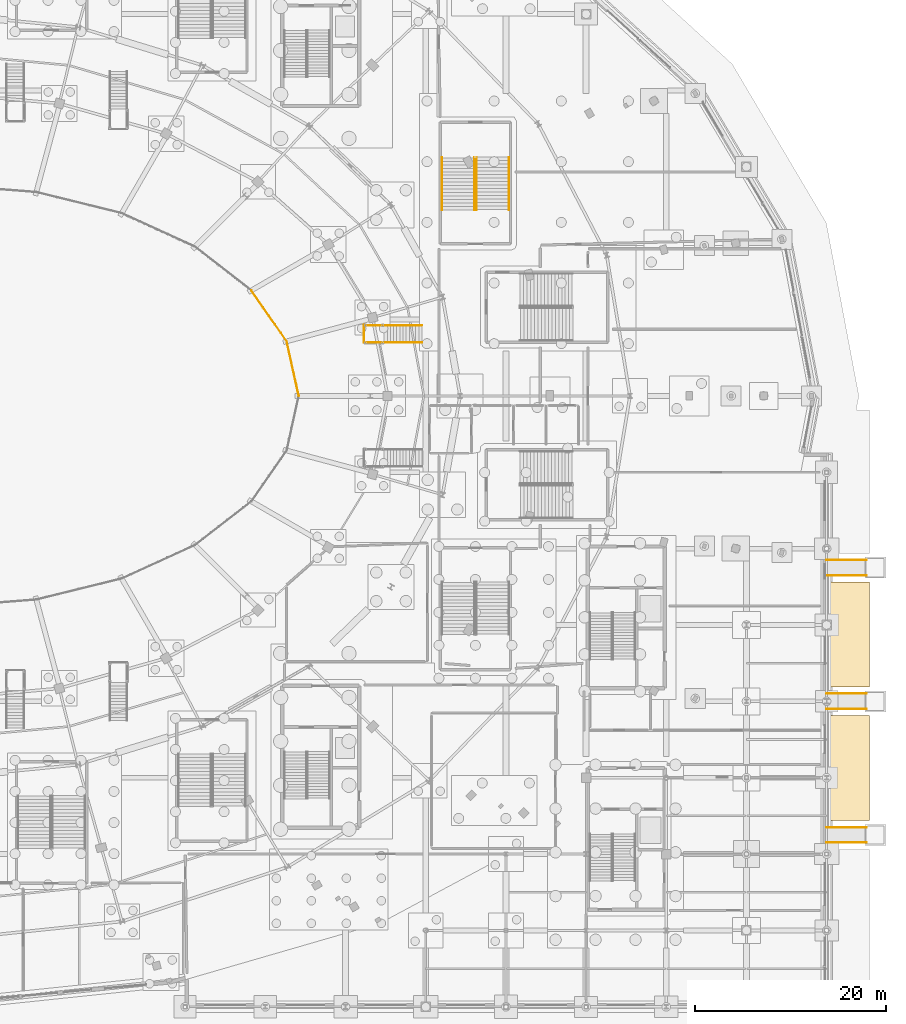
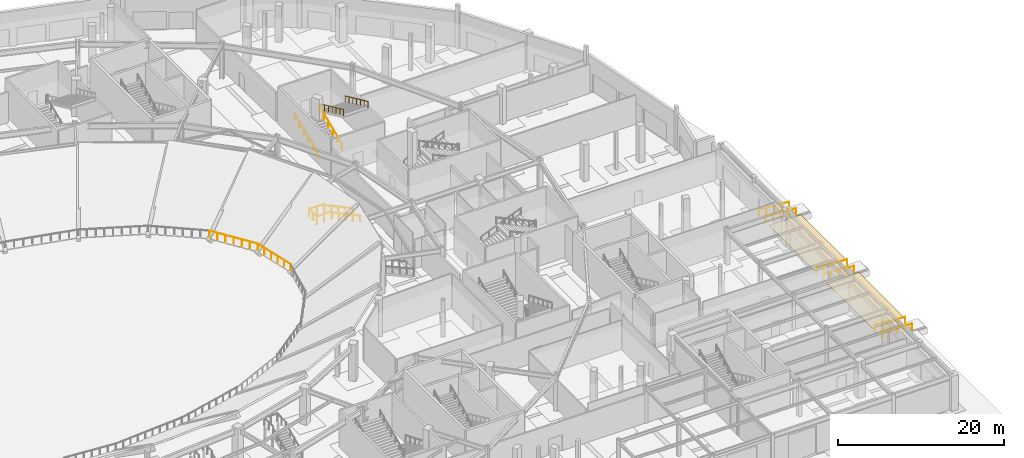
# One storey, part 88 of 93: 17 railings, 2 coverings.
"""IFC4 building model written with IfcOpenShell, lengths in metres."""

from ifc_helpers import new_model, si_unit, direction, frame, origin, origin_2d, place, context, subcontext, project, spatial, polyline, circle, outline, extrude, material, layer, layer_set, type_object, element, save


model = new_model("IFC4")

# Units and contexts
model_context = context("Model", 3, precision=1e-05, world=origin(), true_north=direction((0.0, 1.0)))
body_context = subcontext(model_context, "Body", "Model", "MODEL_VIEW")
ifc_project = project(units=[si_unit("LENGTHUNIT", "METRE"), si_unit("AREAUNIT", "SQUARE_METRE"), si_unit("VOLUMEUNIT", "CUBIC_METRE"), si_unit("PLANEANGLEUNIT", "RADIAN"), si_unit("MASSUNIT", "GRAM", prefix="KILO")], contexts=[model_context])

# Site, building, storey
site_placement = place(None, origin())
site = spatial("IfcSite", under=ifc_project, at=site_placement, CompositionType="ELEMENT")
building_placement = place(site_placement, origin())
building = spatial("IfcBuilding", under=site, at=building_placement, Name="Kalgoora Escarpment Arena", CompositionType="ELEMENT")
storey_placement = place(building_placement, origin())
storey = spatial("IfcBuildingStorey", under=building, at=storey_placement, Name="L00", CompositionType="ELEMENT", Elevation=0.0)

# Coverings
ifc_material_1 = material(Name="Honed Kimberley sandstone paving", Category="masonry")
ifc_layer = layer(ifc_material_1, 0.06494140625)
ifc_layer_set = layer_set([ifc_layer], Name="COV-PAVING-FORECOURT")
covering_type = type_object("IfcCoveringType", Name="COV-PAVING-FORECOURT", PredefinedType="USERDEFINED", material=ifc_layer_set)
covering_1_placement = place(storey_placement, frame((0.0, 0.0, -0.06494140625)))
element("IfcCovering", 1, at=covering_1_placement, inside=storey, type_object=covering_type, Name="Perimeter pedestrian egress apron paving 05", ObjectType="PAVING", PredefinedType="USERDEFINED", context=body_context, shape_type="SweptSolid", body=[
    extrude(outline(polyline([(184.820068359375, 33.5), (184.820068359375, 44.5), (189.300048828125, 44.5), (189.300048828125, 33.5), (184.820068359375, 33.5)])), origin(), (0.0, 0.0, 1.0), 0.06494140625),
])
covering_2_placement = place(storey_placement, frame((0.0, 0.0, -0.06494140625)))
element("IfcCovering", 2, at=covering_2_placement, inside=storey, type_object=covering_type, Name="Perimeter pedestrian egress apron paving 06", ObjectType="PAVING", PredefinedType="USERDEFINED", context=body_context, shape_type="SweptSolid", body=[
    extrude(outline(polyline([(184.820068359375, 19.5), (184.820068359375, 30.5), (189.300048828125, 30.5), (189.300048828125, 19.5), (184.820068359375, 19.5)])), origin(), (0.0, 0.0, 1.0), 0.06494140625),
])

# Railings
ifc_material_2 = material(Name="Galvanised & powdercoated tubular steel", Category="steel")
railing_type_1 = type_object("IfcRailingType", Name="RAL-GUARD-1120", PredefinedType="GUARDRAIL", material=ifc_material_2)
for number, where, name in (
    (3, (138.43994140625, 71.39990234375, 1.949951171875), "Vomitory VST12 landing guard L"),
    (4, (138.43994140625, 69.60009765625, 1.949951171875), "Vomitory VST12 landing guard R"),
):
    element("IfcRailing", number, at=place(storey_placement, frame(where)), inside=storey, type_object=railing_type_1, Name=name, PredefinedType="GUARDRAIL", context=body_context, shape_type="SweptSolid", body=[
        extrude(circle(Radius=0.02392578125, at=origin_2d()), frame((0.0, 0.0, 1.09619140625), z_axis=(-1.0, 0.0, 0.0), x_axis=(0.0, -1.0, 0.0)), (0.0, 0.0, 1.0), 2.099853515625),
        extrude(circle(Radius=0.02099609375, at=origin_2d()), origin(), (0.0, 0.0, 1.0), 1.072021484375),
        extrude(circle(Radius=0.02099609375, at=origin_2d()), frame((-1.0498046875, 0.0, 0.0)), (0.0, 0.0, 1.0), 1.072021484375),
        extrude(circle(Radius=0.02099609375, at=origin_2d()), frame((-2.099853515625, 0.0, 0.0)), (0.0, 0.0, 1.0), 1.072021484375),
    ])
railing_1_placement = place(storey_placement, frame((136.340087890625, 71.419921875, 1.949951171875)))
element("IfcRailing", 5, at=railing_1_placement, inside=storey, type_object=railing_type_1, Name="Vomitory VST12 landing end guard", PredefinedType="GUARDRAIL", context=body_context, shape_type="SweptSolid", body=[
    extrude(circle(Radius=0.02392578125, at=origin_2d()), frame((0.0, 0.0, 1.09619140625), z_axis=(0.0, -1.0, 0.0), x_axis=(1.0, 0.0, 0.0)), (0.0, 0.0, 1.0), 1.83984375),
    extrude(circle(Radius=0.02099609375, at=origin_2d()), origin(), (0.0, 0.0, 1.0), 1.072021484375),
    extrude(circle(Radius=0.02099609375, at=origin_2d()), frame((0.0, -0.919921875, 0.0)), (0.0, 0.0, 1.0), 1.072021484375),
    extrude(circle(Radius=0.02099609375, at=origin_2d()), frame((0.0, -1.83984375, 0.0)), (0.0, 0.0, 1.0), 1.072021484375),
])
railing_2_placement = place(storey_placement, frame((129.5, 64.0, 0.679931640625)))
element("IfcRailing", 6, at=railing_2_placement, inside=storey, type_object=railing_type_1, Name="Lower tier front sightline guard 01", PredefinedType="GUARDRAIL", context=body_context, shape_type="SweptSolid", body=[
    extrude(circle(Radius=0.02392578125, at=origin_2d()), frame((0.0, 0.0, 1.09619140625), z_axis=(-0.21580063573, 0.97643744583, 0.0), x_axis=(-0.97643744583, -0.21580063573, 0.0)), (0.0, 0.0, 1.0), 5.85791015625),
    extrude(circle(Radius=0.02099609375, at=origin_2d()), origin(), (0.0, 0.0, 1.0), 1.072021484375),
    extrude(circle(Radius=0.02099609375, at=origin_2d()), frame((-0.2529296875, 1.14404296875, 0.0)), (0.0, 0.0, 1.0), 1.072021484375),
    extrude(circle(Radius=0.02099609375, at=origin_2d()), frame((-0.505615234375, 2.2880859375, 0.0)), (0.0, 0.0, 1.0), 1.072021484375),
    extrude(circle(Radius=0.02099609375, at=origin_2d()), frame((-0.758544921875, 3.431884765625, 0.0)), (0.0, 0.0, 1.0), 1.072021484375),
    extrude(circle(Radius=0.02099609375, at=origin_2d()), frame((-1.01123046875, 4.575927734375, 0.0)), (0.0, 0.0, 1.0), 1.072021484375),
    extrude(circle(Radius=0.02099609375, at=origin_2d()), frame((-1.26416015625, 5.719970703125, 0.0)), (0.0, 0.0, 1.0), 1.072021484375),
])
railing_3_placement = place(storey_placement, frame((128.23583984375, 69.719970703125, 0.679931640625)))
element("IfcRailing", 7, at=railing_3_placement, inside=storey, type_object=railing_type_1, Name="Lower tier front sightline guard 02", PredefinedType="GUARDRAIL", context=body_context, shape_type="SweptSolid", body=[
    extrude(circle(Radius=0.02392578125, at=origin_2d()), frame((0.0, 0.0, 1.09619140625), z_axis=(-0.570900302793, 0.821019393359, 0.0), x_axis=(-0.821019393359, -0.570900302793, 0.0)), (0.0, 0.0, 1.0), 6.491943359375),
    extrude(circle(Radius=0.02099609375, at=origin_2d()), origin(), (0.0, 0.0, 1.0), 1.072021484375),
    extrude(circle(Radius=0.02099609375, at=origin_2d()), frame((-0.61767578125, 0.888427734375, 0.0)), (0.0, 0.0, 1.0), 1.072021484375),
    extrude(circle(Radius=0.02099609375, at=origin_2d()), frame((-1.2353515625, 1.776611328125, 0.0)), (0.0, 0.0, 1.0), 1.072021484375),
    extrude(circle(Radius=0.02099609375, at=origin_2d()), frame((-1.85302734375, 2.6650390625, 0.0)), (0.0, 0.0, 1.0), 1.072021484375),
    extrude(circle(Radius=0.02099609375, at=origin_2d()), frame((-2.470947265625, 3.553466796875, 0.0)), (0.0, 0.0, 1.0), 1.072021484375),
    extrude(circle(Radius=0.02099609375, at=origin_2d()), frame((-3.088623046875, 4.441650390625, 0.0)), (0.0, 0.0, 1.0), 1.072021484375),
    extrude(circle(Radius=0.02099609375, at=origin_2d()), frame((-3.706298828125, 5.330078125, 0.0)), (0.0, 0.0, 1.0), 1.072021484375),
])
ifc_material_3 = material(Name="Brushed stainless steel 316 handrail", Category="steel")
railing_type_2 = type_object("IfcRailingType", Name="RAL-HAND-920", PredefinedType="HANDRAIL", material=ifc_material_3)
for number, where, name in (
    (8, (144.5, 83.489990234375, 0.388916015625), "ST23 L00 pitched stair handrail F1L"),
    (9, (147.89501953125, 83.489990234375, 0.388916015625), "ST23 L00 pitched stair handrail F1R"),
):
    element("IfcRailing", number, at=place(storey_placement, frame(where)), inside=storey, type_object=railing_type_2, Name=name, PredefinedType="HANDRAIL", context=body_context, shape_type="SweptSolid", body=[
        extrude(circle(Radius=0.02392578125, at=origin_2d()), frame((0.0, 0.0, 0.89599609375), z_axis=(0.0, 0.924430832969, 0.381349754236), x_axis=(-1.0, 0.0, 0.0)), (0.0, 0.0, 1.0), 5.955078125),
        extrude(circle(Radius=0.02099609375, at=origin_2d()), origin(), (0.0, 0.0, 1.0), 0.871826171875),
        extrude(circle(Radius=0.02099609375, at=origin_2d()), frame((0.0, 1.10107421875, 0.4541015625)), (0.0, 0.0, 1.0), 0.871826171875),
        extrude(circle(Radius=0.02099609375, at=origin_2d()), frame((0.0, 2.2021484375, 0.908447265625)), (0.0, 0.0, 1.0), 0.871826171875),
        extrude(circle(Radius=0.02099609375, at=origin_2d()), frame((0.0, 3.302978515625, 1.362548828125)), (0.0, 0.0, 1.0), 0.871826171875),
        extrude(circle(Radius=0.02099609375, at=origin_2d()), frame((0.0, 4.404052734375, 1.81689453125)), (0.0, 0.0, 1.0), 0.871826171875),
        extrude(circle(Radius=0.02099609375, at=origin_2d()), frame((0.0, 5.505126953125, 2.27099609375)), (0.0, 0.0, 1.0), 0.871826171875),
    ])
for number, where, name in (
    (10, (148.10498046875, 88.9951171875, 2.828857421875), "ST23 L00 pitched stair handrail F2L"),
    (11, (151.5, 88.9951171875, 2.828857421875), "ST23 L00 pitched stair handrail F2R"),
):
    element("IfcRailing", number, at=place(storey_placement, frame(where)), inside=storey, type_object=railing_type_2, Name=name, PredefinedType="HANDRAIL", context=body_context, shape_type="SweptSolid", body=[
        extrude(circle(Radius=0.02392578125, at=origin_2d()), frame((0.0, 0.0, 0.89599609375), z_axis=(0.0, -0.908559891483, 0.417754621265), x_axis=(1.0, 0.0, 0.0)), (0.0, 0.0, 1.0), 6.05908203125),
        extrude(circle(Radius=0.02099609375, at=origin_2d()), origin(), (0.0, 0.0, 1.0), 0.871826171875),
        extrude(circle(Radius=0.02099609375, at=origin_2d()), frame((0.0, -0.91748046875, 0.421875)), (0.0, 0.0, 1.0), 0.871826171875),
        extrude(circle(Radius=0.02099609375, at=origin_2d()), frame((0.0, -1.8349609375, 0.84375)), (0.0, 0.0, 1.0), 0.871826171875),
        extrude(circle(Radius=0.02099609375, at=origin_2d()), frame((0.0, -2.75244140625, 1.265625)), (0.0, 0.0, 1.0), 0.871826171875),
        extrude(circle(Radius=0.02099609375, at=origin_2d()), frame((0.0, -3.670166015625, 1.6875)), (0.0, 0.0, 1.0), 0.871826171875),
        extrude(circle(Radius=0.02099609375, at=origin_2d()), frame((0.0, -4.587646484375, 2.109375)), (0.0, 0.0, 1.0), 0.871826171875),
        extrude(circle(Radius=0.02099609375, at=origin_2d()), frame((0.0, -5.505126953125, 2.53125)), (0.0, 0.0, 1.0), 0.871826171875),
    ])
for number, where, name in (
    (12, (142.39990234375, 71.39990234375, 0.14990234375), "Vomitory VST12 handrail L"),
    (13, (142.39990234375, 69.60009765625, 0.14990234375), "Vomitory VST12 handrail R"),
):
    element("IfcRailing", number, at=place(storey_placement, frame(where)), inside=storey, type_object=railing_type_2, Name=name, PredefinedType="HANDRAIL", context=body_context, shape_type="SweptSolid", body=[
        extrude(circle(Radius=0.02392578125, at=origin_2d()), frame((0.0, 0.0, 0.89599609375), z_axis=(-0.910360711023, 0.0, 0.413815630233), x_axis=(0.0, -1.0, 0.0)), (0.0, 0.0, 1.0), 4.349853515625),
        extrude(circle(Radius=0.02099609375, at=origin_2d()), origin(), (0.0, 0.0, 1.0), 0.871826171875),
        extrude(circle(Radius=0.02099609375, at=origin_2d()), frame((-0.989990234375, 0.0, 0.449951171875)), (0.0, 0.0, 1.0), 0.871826171875),
        extrude(circle(Radius=0.02099609375, at=origin_2d()), frame((-1.97998046875, 0.0, 0.89990234375)), (0.0, 0.0, 1.0), 0.871826171875),
        extrude(circle(Radius=0.02099609375, at=origin_2d()), frame((-2.969970703125, 0.0, 1.35009765625)), (0.0, 0.0, 1.0), 0.871826171875),
        extrude(circle(Radius=0.02099609375, at=origin_2d()), frame((-3.9599609375, 0.0, 1.800048828125)), (0.0, 0.0, 1.0), 0.871826171875),
    ])
for number, where, name in (
    (14, (189.0, 17.199951171875, -0.300048828125), "Accessible ramp RMP-04 handrail L"),
    (15, (189.0, 18.800048828125, -0.300048828125), "Accessible ramp RMP-04 handrail R"),
    (16, (189.0, 31.199951171875, -0.300048828125), "Accessible ramp RMP-05 handrail L"),
    (17, (189.0, 32.800048828125, -0.300048828125), "Accessible ramp RMP-05 handrail R"),
    (18, (189.0, 45.199951171875, -0.300048828125), "Accessible ramp RMP-06 handrail L"),
    (19, (189.0, 46.800048828125, -0.300048828125), "Accessible ramp RMP-06 handrail R"),
):
    element("IfcRailing", number, at=place(storey_placement, frame(where)), inside=storey, type_object=railing_type_2, Name=name, PredefinedType="HANDRAIL", context=body_context, shape_type="SweptSolid", body=[
        extrude(circle(Radius=0.02392578125, at=origin_2d()), frame((0.0, 0.0, 0.89599609375), z_axis=(-0.997457816785, 0.0, 0.071259411546), x_axis=(0.0, -1.0, 0.0)), (0.0, 0.0, 1.0), 4.210693359375),
        extrude(circle(Radius=0.02099609375, at=origin_2d()), origin(), (0.0, 0.0, 1.0), 0.871826171875),
        extrude(circle(Radius=0.02099609375, at=origin_2d()), frame((-1.050048828125, 0.0, 0.074951171875)), (0.0, 0.0, 1.0), 0.871826171875),
        extrude(circle(Radius=0.02099609375, at=origin_2d()), frame((-2.10009765625, 0.0, 0.14990234375)), (0.0, 0.0, 1.0), 0.871826171875),
        extrude(circle(Radius=0.02099609375, at=origin_2d()), frame((-3.14990234375, 0.0, 0.22509765625)), (0.0, 0.0, 1.0), 0.871826171875),
        extrude(circle(Radius=0.02099609375, at=origin_2d()), frame((-4.199951171875, 0.0, 0.300048828125)), (0.0, 0.0, 1.0), 0.871826171875),
    ])

save(model, "model.ifc")
